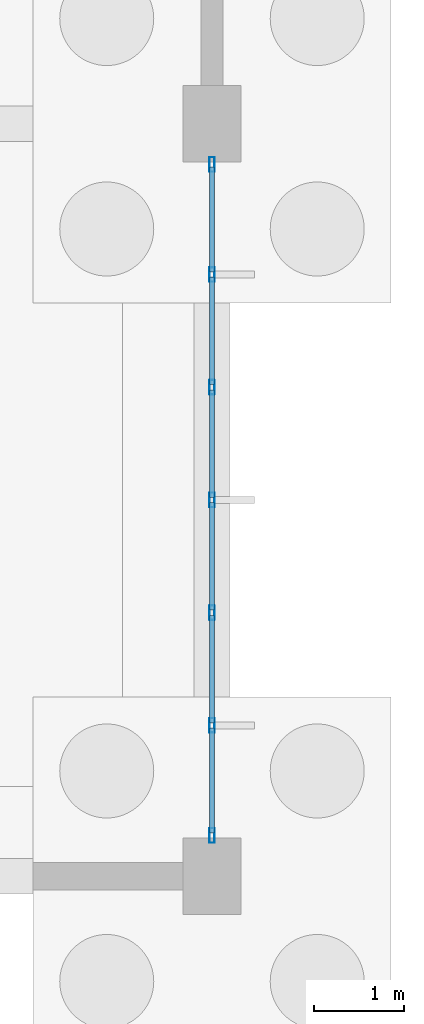
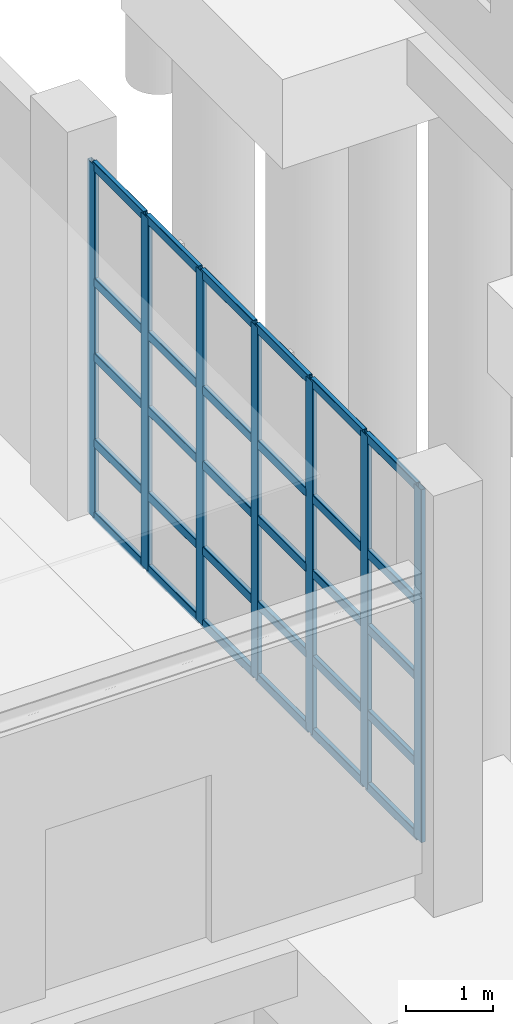
# One storey, part 18 of 83: 37 members, 1 element without a shape of its own.
"""IFC4 building model written with IfcOpenShell, lengths in metres."""

from ifc_helpers import new_model, si_unit, direction, frame, origin, origin_2d, place, context, subcontext, project, spatial, hollow_rectangle, extrude, material, layer, layer_set, material_profile, profile_set, type_object, element, aggregate, save


model = new_model("IFC4")

# Units and contexts
model_context = context("Model", 3, precision=1e-05, world=origin(), true_north=direction((0.0, 1.0)))
body_context = subcontext(model_context, "Body", "Model", "MODEL_VIEW")
ifc_project = project(units=[si_unit("LENGTHUNIT", "METRE"), si_unit("AREAUNIT", "SQUARE_METRE"), si_unit("VOLUMEUNIT", "CUBIC_METRE"), si_unit("PLANEANGLEUNIT", "RADIAN"), si_unit("MASSUNIT", "GRAM", prefix="KILO"), si_unit("THERMODYNAMICTEMPERATUREUNIT", "KELVIN"), si_unit("POWERUNIT", "WATT")], contexts=[model_context])

# Site, building, storey
site_placement = place(None, origin())
site = spatial("IfcSite", under=ifc_project, at=site_placement, CompositionType="ELEMENT")
building_placement = place(site_placement, origin())
building = spatial("IfcBuilding", under=site, at=building_placement, Name="Mavoryth Pier Ferry Terminal", CompositionType="ELEMENT")
storey_placement = place(building_placement, origin())
storey = spatial("IfcBuildingStorey", under=building, at=storey_placement, Name="L00", CompositionType="ELEMENT", Elevation=0.0)

# Curtain wall, members
ifc_material_1 = material(Name="Anodised Aluminium and Solar-Control Low-E Glass", Category="aluminium")
ifc_layer = layer(ifc_material_1, 0.199951171875, Name="Anodised Aluminium and Solar-Control Low-E Glass", Category="aluminium")
ifc_layer_set = layer_set([ifc_layer], Name="Anodised Aluminium and Solar-Control Low-E Glass - CW-Concourse-Mod1200")
curtain_wall_type = type_object("IfcCurtainWallType", Name="CW-Concourse-Mod1200", PredefinedType="USERDEFINED", material=ifc_layer_set)
curtain_wall_placement = place(storey_placement, origin())
curtain_wall = element("IfcCurtainWall", 1, at=curtain_wall_placement, inside=storey, type_object=curtain_wall_type, Name="Curtain Wall CW-0022-002", ObjectType="UNITISED CURTAIN WALL", PredefinedType="USERDEFINED")
ifc_material_2 = material(Name="Anodised Aluminium EN AW-6063", Category="aluminium")
ifc_material_profile_1 = material_profile(ifc_material_2, hollow_rectangle(XDim=0.06005859375, YDim=0.1650390625, WallThickness=0.00390625, InnerFilletRadius=0.00390625, OuterFilletRadius=0.008056640625, at=origin_2d()), Name="AL-MULL 165x60x4", Category="aluminium")
ifc_profile_set_1 = profile_set([ifc_material_profile_1], Name="Anodised Aluminium EN AW-6063 - AL-MULL 165x60x4")
member_type_1 = type_object("IfcMemberType", Name="Mullion-Alum-165x60", PredefinedType="MULLION", material=ifc_profile_set_1)
member_1_placement = place(storey_placement, frame((33.60009765625, 22.455078125, 0.0), z_axis=(0.0, 0.0, 1.0), x_axis=(-1.0, 0.0, 0.0)))
member_1 = element("IfcMember", 2, at=member_1_placement, type_object=member_type_1, Name="CW02 mullion 1", PredefinedType="MULLION", context=body_context, shape_type="SweptSolid", body=[
    extrude(hollow_rectangle(XDim=0.06005859375, YDim=0.1650390625, WallThickness=0.00390625, InnerFilletRadius=0.00390625, OuterFilletRadius=0.008056640625, at=origin_2d()), origin(), (0.0, 0.0, 1.0), 4.93994140625),
])
member_2_placement = place(storey_placement, frame((33.60009765625, 23.683349609375, 0.0), z_axis=(0.0, 0.0, 1.0), x_axis=(-1.0, 0.0, 0.0)))
member_2 = element("IfcMember", 3, at=member_2_placement, type_object=member_type_1, Name="CW02 mullion 2", PredefinedType="MULLION", context=body_context, shape_type="SweptSolid", body=[
    extrude(hollow_rectangle(XDim=0.06005859375, YDim=0.1650390625, WallThickness=0.00390625, InnerFilletRadius=0.00390625, OuterFilletRadius=0.008056640625, at=origin_2d()), origin(), (0.0, 0.0, 1.0), 4.93994140625),
])
member_3_placement = place(storey_placement, frame((33.60009765625, 24.941650390625, 0.0), z_axis=(0.0, 0.0, 1.0), x_axis=(-1.0, 0.0, 0.0)))
member_3 = element("IfcMember", 4, at=member_3_placement, type_object=member_type_1, Name="CW02 mullion 3", PredefinedType="MULLION", context=body_context, shape_type="SweptSolid", body=[
    extrude(hollow_rectangle(XDim=0.06005859375, YDim=0.1650390625, WallThickness=0.00390625, InnerFilletRadius=0.00390625, OuterFilletRadius=0.008056640625, at=origin_2d()), origin(), (0.0, 0.0, 1.0), 4.93994140625),
])
member_4_placement = place(storey_placement, frame((33.60009765625, 26.199951171875, 0.0), z_axis=(0.0, 0.0, 1.0), x_axis=(-1.0, 0.0, 0.0)))
member_4 = element("IfcMember", 5, at=member_4_placement, type_object=member_type_1, Name="CW02 mullion 4", PredefinedType="MULLION", context=body_context, shape_type="SweptSolid", body=[
    extrude(hollow_rectangle(XDim=0.06005859375, YDim=0.1650390625, WallThickness=0.00390625, InnerFilletRadius=0.00390625, OuterFilletRadius=0.008056640625, at=origin_2d()), origin(), (0.0, 0.0, 1.0), 4.93994140625),
])
member_5_placement = place(storey_placement, frame((33.60009765625, 27.458251953125, 0.0), z_axis=(0.0, 0.0, 1.0), x_axis=(-1.0, 0.0, 0.0)))
member_5 = element("IfcMember", 6, at=member_5_placement, type_object=member_type_1, Name="CW02 mullion 5", PredefinedType="MULLION", context=body_context, shape_type="SweptSolid", body=[
    extrude(hollow_rectangle(XDim=0.06005859375, YDim=0.1650390625, WallThickness=0.00390625, InnerFilletRadius=0.00390625, OuterFilletRadius=0.008056640625, at=origin_2d()), origin(), (0.0, 0.0, 1.0), 4.93994140625),
])
member_6_placement = place(storey_placement, frame((33.60009765625, 28.716552734375, 0.0), z_axis=(0.0, 0.0, 1.0), x_axis=(-1.0, 0.0, 0.0)))
member_6 = element("IfcMember", 7, at=member_6_placement, type_object=member_type_1, Name="CW02 mullion 6", PredefinedType="MULLION", context=body_context, shape_type="SweptSolid", body=[
    extrude(hollow_rectangle(XDim=0.06005859375, YDim=0.1650390625, WallThickness=0.00390625, InnerFilletRadius=0.00390625, OuterFilletRadius=0.008056640625, at=origin_2d()), origin(), (0.0, 0.0, 1.0), 4.93994140625),
])
member_7_placement = place(storey_placement, frame((33.60009765625, 29.945068359375, 0.0), z_axis=(0.0, 0.0, 1.0), x_axis=(-1.0, 0.0, 0.0)))
member_7 = element("IfcMember", 8, at=member_7_placement, type_object=member_type_1, Name="CW02 mullion 7", PredefinedType="MULLION", context=body_context, shape_type="SweptSolid", body=[
    extrude(hollow_rectangle(XDim=0.06005859375, YDim=0.1650390625, WallThickness=0.00390625, InnerFilletRadius=0.00390625, OuterFilletRadius=0.008056640625, at=origin_2d()), origin(), (0.0, 0.0, 1.0), 4.93994140625),
])
ifc_material_profile_2 = material_profile(ifc_material_2, hollow_rectangle(XDim=0.06005859375, YDim=0.125, WallThickness=0.00390625, InnerFilletRadius=0.00390625, OuterFilletRadius=0.008056640625, at=origin_2d()), Name="AL-TRAN 125x60x4", Category="aluminium")
ifc_profile_set_2 = profile_set([ifc_material_profile_2], Name="Anodised Aluminium EN AW-6063 - AL-TRAN 125x60x4")
member_type_2 = type_object("IfcMemberType", Name="Transom-Alum-125x60", PredefinedType="USERDEFINED", material=ifc_profile_set_2)
member_8_placement = place(storey_placement, frame((33.60009765625, 22.485107421875, 0.030029296875), z_axis=(0.0, 1.0, 0.0), x_axis=(-1.0, 0.0, 0.0)))
member_8 = element("IfcMember", 9, at=member_8_placement, type_object=member_type_2, Name="CW02 transom 1.1", ObjectType="TRANSOM", PredefinedType="USERDEFINED", context=body_context, shape_type="SweptSolid", body=[
    extrude(hollow_rectangle(XDim=0.06005859375, YDim=0.125, WallThickness=0.00390625, InnerFilletRadius=0.00390625, OuterFilletRadius=0.008056640625, at=origin_2d()), origin(), (0.0, 0.0, 1.0), 1.168212890625),
])
member_9_placement = place(storey_placement, frame((33.60009765625, 22.485107421875, 1.050048828125), z_axis=(0.0, 1.0, 0.0), x_axis=(-1.0, 0.0, 0.0)))
member_9 = element("IfcMember", 10, at=member_9_placement, type_object=member_type_2, Name="CW02 transom 1.2", ObjectType="TRANSOM", PredefinedType="USERDEFINED", context=body_context, shape_type="SweptSolid", body=[
    extrude(hollow_rectangle(XDim=0.06005859375, YDim=0.125, WallThickness=0.00390625, InnerFilletRadius=0.00390625, OuterFilletRadius=0.008056640625, at=origin_2d()), origin(), (0.0, 0.0, 1.0), 1.168212890625),
])
member_10_placement = place(storey_placement, frame((33.60009765625, 22.485107421875, 2.25), z_axis=(0.0, 1.0, 0.0), x_axis=(-1.0, 0.0, 0.0)))
member_10 = element("IfcMember", 11, at=member_10_placement, type_object=member_type_2, Name="CW02 transom 1.3", ObjectType="TRANSOM", PredefinedType="USERDEFINED", context=body_context, shape_type="SweptSolid", body=[
    extrude(hollow_rectangle(XDim=0.06005859375, YDim=0.125, WallThickness=0.00390625, InnerFilletRadius=0.00390625, OuterFilletRadius=0.008056640625, at=origin_2d()), origin(), (0.0, 0.0, 1.0), 1.168212890625),
])
member_11_placement = place(storey_placement, frame((33.60009765625, 22.485107421875, 3.300048828125), z_axis=(0.0, 1.0, 0.0), x_axis=(-1.0, 0.0, 0.0)))
member_11 = element("IfcMember", 12, at=member_11_placement, type_object=member_type_2, Name="CW02 transom 1.4", ObjectType="TRANSOM", PredefinedType="USERDEFINED", context=body_context, shape_type="SweptSolid", body=[
    extrude(hollow_rectangle(XDim=0.06005859375, YDim=0.125, WallThickness=0.00390625, InnerFilletRadius=0.00390625, OuterFilletRadius=0.008056640625, at=origin_2d()), origin(), (0.0, 0.0, 1.0), 1.168212890625),
])
member_12_placement = place(storey_placement, frame((33.60009765625, 22.485107421875, 4.909912109375), z_axis=(0.0, 1.0, 0.0), x_axis=(-1.0, 0.0, 0.0)))
member_12 = element("IfcMember", 13, at=member_12_placement, type_object=member_type_2, Name="CW02 transom 1.5", ObjectType="TRANSOM", PredefinedType="USERDEFINED", context=body_context, shape_type="SweptSolid", body=[
    extrude(hollow_rectangle(XDim=0.06005859375, YDim=0.125, WallThickness=0.00390625, InnerFilletRadius=0.00390625, OuterFilletRadius=0.008056640625, at=origin_2d()), origin(), (0.0, 0.0, 1.0), 1.168212890625),
])
member_13_placement = place(storey_placement, frame((33.60009765625, 23.71337890625, 0.030029296875), z_axis=(0.0, 1.0, 0.0), x_axis=(-1.0, 0.0, 0.0)))
member_13 = element("IfcMember", 14, at=member_13_placement, type_object=member_type_2, Name="CW02 transom 2.1", ObjectType="TRANSOM", PredefinedType="USERDEFINED", context=body_context, shape_type="SweptSolid", body=[
    extrude(hollow_rectangle(XDim=0.06005859375, YDim=0.125, WallThickness=0.00390625, InnerFilletRadius=0.00390625, OuterFilletRadius=0.008056640625, at=origin_2d()), origin(), (0.0, 0.0, 1.0), 1.1982421875),
])
member_14_placement = place(storey_placement, frame((33.60009765625, 23.71337890625, 1.050048828125), z_axis=(0.0, 1.0, 0.0), x_axis=(-1.0, 0.0, 0.0)))
member_14 = element("IfcMember", 15, at=member_14_placement, type_object=member_type_2, Name="CW02 transom 2.2", ObjectType="TRANSOM", PredefinedType="USERDEFINED", context=body_context, shape_type="SweptSolid", body=[
    extrude(hollow_rectangle(XDim=0.06005859375, YDim=0.125, WallThickness=0.00390625, InnerFilletRadius=0.00390625, OuterFilletRadius=0.008056640625, at=origin_2d()), origin(), (0.0, 0.0, 1.0), 1.1982421875),
])
member_15_placement = place(storey_placement, frame((33.60009765625, 23.71337890625, 2.25), z_axis=(0.0, 1.0, 0.0), x_axis=(-1.0, 0.0, 0.0)))
member_15 = element("IfcMember", 16, at=member_15_placement, type_object=member_type_2, Name="CW02 transom 2.3", ObjectType="TRANSOM", PredefinedType="USERDEFINED", context=body_context, shape_type="SweptSolid", body=[
    extrude(hollow_rectangle(XDim=0.06005859375, YDim=0.125, WallThickness=0.00390625, InnerFilletRadius=0.00390625, OuterFilletRadius=0.008056640625, at=origin_2d()), origin(), (0.0, 0.0, 1.0), 1.1982421875),
])
member_16_placement = place(storey_placement, frame((33.60009765625, 23.71337890625, 3.300048828125), z_axis=(0.0, 1.0, 0.0), x_axis=(-1.0, 0.0, 0.0)))
member_16 = element("IfcMember", 17, at=member_16_placement, type_object=member_type_2, Name="CW02 transom 2.4", ObjectType="TRANSOM", PredefinedType="USERDEFINED", context=body_context, shape_type="SweptSolid", body=[
    extrude(hollow_rectangle(XDim=0.06005859375, YDim=0.125, WallThickness=0.00390625, InnerFilletRadius=0.00390625, OuterFilletRadius=0.008056640625, at=origin_2d()), origin(), (0.0, 0.0, 1.0), 1.1982421875),
])
member_17_placement = place(storey_placement, frame((33.60009765625, 23.71337890625, 4.909912109375), z_axis=(0.0, 1.0, 0.0), x_axis=(-1.0, 0.0, 0.0)))
member_17 = element("IfcMember", 18, at=member_17_placement, type_object=member_type_2, Name="CW02 transom 2.5", ObjectType="TRANSOM", PredefinedType="USERDEFINED", context=body_context, shape_type="SweptSolid", body=[
    extrude(hollow_rectangle(XDim=0.06005859375, YDim=0.125, WallThickness=0.00390625, InnerFilletRadius=0.00390625, OuterFilletRadius=0.008056640625, at=origin_2d()), origin(), (0.0, 0.0, 1.0), 1.1982421875),
])
member_18_placement = place(storey_placement, frame((33.60009765625, 24.9716796875, 0.030029296875), z_axis=(0.0, 1.0, 0.0), x_axis=(-1.0, 0.0, 0.0)))
member_18 = element("IfcMember", 19, at=member_18_placement, type_object=member_type_2, Name="CW02 transom 3.1", ObjectType="TRANSOM", PredefinedType="USERDEFINED", context=body_context, shape_type="SweptSolid", body=[
    extrude(hollow_rectangle(XDim=0.06005859375, YDim=0.125, WallThickness=0.00390625, InnerFilletRadius=0.00390625, OuterFilletRadius=0.008056640625, at=origin_2d()), origin(), (0.0, 0.0, 1.0), 1.1982421875),
])
member_19_placement = place(storey_placement, frame((33.60009765625, 24.9716796875, 1.050048828125), z_axis=(0.0, 1.0, 0.0), x_axis=(-1.0, 0.0, 0.0)))
member_19 = element("IfcMember", 20, at=member_19_placement, type_object=member_type_2, Name="CW02 transom 3.2", ObjectType="TRANSOM", PredefinedType="USERDEFINED", context=body_context, shape_type="SweptSolid", body=[
    extrude(hollow_rectangle(XDim=0.06005859375, YDim=0.125, WallThickness=0.00390625, InnerFilletRadius=0.00390625, OuterFilletRadius=0.008056640625, at=origin_2d()), origin(), (0.0, 0.0, 1.0), 1.1982421875),
])
member_20_placement = place(storey_placement, frame((33.60009765625, 24.9716796875, 2.25), z_axis=(0.0, 1.0, 0.0), x_axis=(-1.0, 0.0, 0.0)))
member_20 = element("IfcMember", 21, at=member_20_placement, type_object=member_type_2, Name="CW02 transom 3.3", ObjectType="TRANSOM", PredefinedType="USERDEFINED", context=body_context, shape_type="SweptSolid", body=[
    extrude(hollow_rectangle(XDim=0.06005859375, YDim=0.125, WallThickness=0.00390625, InnerFilletRadius=0.00390625, OuterFilletRadius=0.008056640625, at=origin_2d()), origin(), (0.0, 0.0, 1.0), 1.1982421875),
])
member_21_placement = place(storey_placement, frame((33.60009765625, 24.9716796875, 3.300048828125), z_axis=(0.0, 1.0, 0.0), x_axis=(-1.0, 0.0, 0.0)))
member_21 = element("IfcMember", 22, at=member_21_placement, type_object=member_type_2, Name="CW02 transom 3.4", ObjectType="TRANSOM", PredefinedType="USERDEFINED", context=body_context, shape_type="SweptSolid", body=[
    extrude(hollow_rectangle(XDim=0.06005859375, YDim=0.125, WallThickness=0.00390625, InnerFilletRadius=0.00390625, OuterFilletRadius=0.008056640625, at=origin_2d()), origin(), (0.0, 0.0, 1.0), 1.1982421875),
])
member_22_placement = place(storey_placement, frame((33.60009765625, 24.9716796875, 4.909912109375), z_axis=(0.0, 1.0, 0.0), x_axis=(-1.0, 0.0, 0.0)))
member_22 = element("IfcMember", 23, at=member_22_placement, type_object=member_type_2, Name="CW02 transom 3.5", ObjectType="TRANSOM", PredefinedType="USERDEFINED", context=body_context, shape_type="SweptSolid", body=[
    extrude(hollow_rectangle(XDim=0.06005859375, YDim=0.125, WallThickness=0.00390625, InnerFilletRadius=0.00390625, OuterFilletRadius=0.008056640625, at=origin_2d()), origin(), (0.0, 0.0, 1.0), 1.1982421875),
])
member_23_placement = place(storey_placement, frame((33.60009765625, 26.22998046875, 0.030029296875), z_axis=(0.0, 1.0, 0.0), x_axis=(-1.0, 0.0, 0.0)))
member_23 = element("IfcMember", 24, at=member_23_placement, type_object=member_type_2, Name="CW02 transom 4.1", ObjectType="TRANSOM", PredefinedType="USERDEFINED", context=body_context, shape_type="SweptSolid", body=[
    extrude(hollow_rectangle(XDim=0.06005859375, YDim=0.125, WallThickness=0.00390625, InnerFilletRadius=0.00390625, OuterFilletRadius=0.008056640625, at=origin_2d()), origin(), (0.0, 0.0, 1.0), 1.1982421875),
])
member_24_placement = place(storey_placement, frame((33.60009765625, 26.22998046875, 1.050048828125), z_axis=(0.0, 1.0, 0.0), x_axis=(-1.0, 0.0, 0.0)))
member_24 = element("IfcMember", 25, at=member_24_placement, type_object=member_type_2, Name="CW02 transom 4.2", ObjectType="TRANSOM", PredefinedType="USERDEFINED", context=body_context, shape_type="SweptSolid", body=[
    extrude(hollow_rectangle(XDim=0.06005859375, YDim=0.125, WallThickness=0.00390625, InnerFilletRadius=0.00390625, OuterFilletRadius=0.008056640625, at=origin_2d()), origin(), (0.0, 0.0, 1.0), 1.1982421875),
])
member_25_placement = place(storey_placement, frame((33.60009765625, 26.22998046875, 2.25), z_axis=(0.0, 1.0, 0.0), x_axis=(-1.0, 0.0, 0.0)))
member_25 = element("IfcMember", 26, at=member_25_placement, type_object=member_type_2, Name="CW02 transom 4.3", ObjectType="TRANSOM", PredefinedType="USERDEFINED", context=body_context, shape_type="SweptSolid", body=[
    extrude(hollow_rectangle(XDim=0.06005859375, YDim=0.125, WallThickness=0.00390625, InnerFilletRadius=0.00390625, OuterFilletRadius=0.008056640625, at=origin_2d()), origin(), (0.0, 0.0, 1.0), 1.1982421875),
])
member_26_placement = place(storey_placement, frame((33.60009765625, 26.22998046875, 3.300048828125), z_axis=(0.0, 1.0, 0.0), x_axis=(-1.0, 0.0, 0.0)))
member_26 = element("IfcMember", 27, at=member_26_placement, type_object=member_type_2, Name="CW02 transom 4.4", ObjectType="TRANSOM", PredefinedType="USERDEFINED", context=body_context, shape_type="SweptSolid", body=[
    extrude(hollow_rectangle(XDim=0.06005859375, YDim=0.125, WallThickness=0.00390625, InnerFilletRadius=0.00390625, OuterFilletRadius=0.008056640625, at=origin_2d()), origin(), (0.0, 0.0, 1.0), 1.1982421875),
])
member_27_placement = place(storey_placement, frame((33.60009765625, 26.22998046875, 4.909912109375), z_axis=(0.0, 1.0, 0.0), x_axis=(-1.0, 0.0, 0.0)))
member_27 = element("IfcMember", 28, at=member_27_placement, type_object=member_type_2, Name="CW02 transom 4.5", ObjectType="TRANSOM", PredefinedType="USERDEFINED", context=body_context, shape_type="SweptSolid", body=[
    extrude(hollow_rectangle(XDim=0.06005859375, YDim=0.125, WallThickness=0.00390625, InnerFilletRadius=0.00390625, OuterFilletRadius=0.008056640625, at=origin_2d()), origin(), (0.0, 0.0, 1.0), 1.1982421875),
])
member_28_placement = place(storey_placement, frame((33.60009765625, 27.48828125, 0.030029296875), z_axis=(0.0, 1.0, 0.0), x_axis=(-1.0, 0.0, 0.0)))
member_28 = element("IfcMember", 29, at=member_28_placement, type_object=member_type_2, Name="CW02 transom 5.1", ObjectType="TRANSOM", PredefinedType="USERDEFINED", context=body_context, shape_type="SweptSolid", body=[
    extrude(hollow_rectangle(XDim=0.06005859375, YDim=0.125, WallThickness=0.00390625, InnerFilletRadius=0.00390625, OuterFilletRadius=0.008056640625, at=origin_2d()), origin(), (0.0, 0.0, 1.0), 1.198486328125),
])
member_29_placement = place(storey_placement, frame((33.60009765625, 27.48828125, 1.050048828125), z_axis=(0.0, 1.0, 0.0), x_axis=(-1.0, 0.0, 0.0)))
member_29 = element("IfcMember", 30, at=member_29_placement, type_object=member_type_2, Name="CW02 transom 5.2", ObjectType="TRANSOM", PredefinedType="USERDEFINED", context=body_context, shape_type="SweptSolid", body=[
    extrude(hollow_rectangle(XDim=0.06005859375, YDim=0.125, WallThickness=0.00390625, InnerFilletRadius=0.00390625, OuterFilletRadius=0.008056640625, at=origin_2d()), origin(), (0.0, 0.0, 1.0), 1.198486328125),
])
member_30_placement = place(storey_placement, frame((33.60009765625, 27.48828125, 2.25), z_axis=(0.0, 1.0, 0.0), x_axis=(-1.0, 0.0, 0.0)))
member_30 = element("IfcMember", 31, at=member_30_placement, type_object=member_type_2, Name="CW02 transom 5.3", ObjectType="TRANSOM", PredefinedType="USERDEFINED", context=body_context, shape_type="SweptSolid", body=[
    extrude(hollow_rectangle(XDim=0.06005859375, YDim=0.125, WallThickness=0.00390625, InnerFilletRadius=0.00390625, OuterFilletRadius=0.008056640625, at=origin_2d()), origin(), (0.0, 0.0, 1.0), 1.198486328125),
])
member_31_placement = place(storey_placement, frame((33.60009765625, 27.48828125, 3.300048828125), z_axis=(0.0, 1.0, 0.0), x_axis=(-1.0, 0.0, 0.0)))
member_31 = element("IfcMember", 32, at=member_31_placement, type_object=member_type_2, Name="CW02 transom 5.4", ObjectType="TRANSOM", PredefinedType="USERDEFINED", context=body_context, shape_type="SweptSolid", body=[
    extrude(hollow_rectangle(XDim=0.06005859375, YDim=0.125, WallThickness=0.00390625, InnerFilletRadius=0.00390625, OuterFilletRadius=0.008056640625, at=origin_2d()), origin(), (0.0, 0.0, 1.0), 1.198486328125),
])
member_32_placement = place(storey_placement, frame((33.60009765625, 27.48828125, 4.909912109375), z_axis=(0.0, 1.0, 0.0), x_axis=(-1.0, 0.0, 0.0)))
member_32 = element("IfcMember", 33, at=member_32_placement, type_object=member_type_2, Name="CW02 transom 5.5", ObjectType="TRANSOM", PredefinedType="USERDEFINED", context=body_context, shape_type="SweptSolid", body=[
    extrude(hollow_rectangle(XDim=0.06005859375, YDim=0.125, WallThickness=0.00390625, InnerFilletRadius=0.00390625, OuterFilletRadius=0.008056640625, at=origin_2d()), origin(), (0.0, 0.0, 1.0), 1.198486328125),
])
member_33_placement = place(storey_placement, frame((33.60009765625, 28.74658203125, 0.030029296875), z_axis=(0.0, 1.0, 0.0), x_axis=(-1.0, 0.0, 0.0)))
member_33 = element("IfcMember", 34, at=member_33_placement, type_object=member_type_2, Name="CW02 transom 6.1", ObjectType="TRANSOM", PredefinedType="USERDEFINED", context=body_context, shape_type="SweptSolid", body=[
    extrude(hollow_rectangle(XDim=0.06005859375, YDim=0.125, WallThickness=0.00390625, InnerFilletRadius=0.00390625, OuterFilletRadius=0.008056640625, at=origin_2d()), origin(), (0.0, 0.0, 1.0), 1.16845703125),
])
member_34_placement = place(storey_placement, frame((33.60009765625, 28.74658203125, 1.050048828125), z_axis=(0.0, 1.0, 0.0), x_axis=(-1.0, 0.0, 0.0)))
member_34 = element("IfcMember", 35, at=member_34_placement, type_object=member_type_2, Name="CW02 transom 6.2", ObjectType="TRANSOM", PredefinedType="USERDEFINED", context=body_context, shape_type="SweptSolid", body=[
    extrude(hollow_rectangle(XDim=0.06005859375, YDim=0.125, WallThickness=0.00390625, InnerFilletRadius=0.00390625, OuterFilletRadius=0.008056640625, at=origin_2d()), origin(), (0.0, 0.0, 1.0), 1.16845703125),
])
member_35_placement = place(storey_placement, frame((33.60009765625, 28.74658203125, 2.25), z_axis=(0.0, 1.0, 0.0), x_axis=(-1.0, 0.0, 0.0)))
member_35 = element("IfcMember", 36, at=member_35_placement, type_object=member_type_2, Name="CW02 transom 6.3", ObjectType="TRANSOM", PredefinedType="USERDEFINED", context=body_context, shape_type="SweptSolid", body=[
    extrude(hollow_rectangle(XDim=0.06005859375, YDim=0.125, WallThickness=0.00390625, InnerFilletRadius=0.00390625, OuterFilletRadius=0.008056640625, at=origin_2d()), origin(), (0.0, 0.0, 1.0), 1.16845703125),
])
member_36_placement = place(storey_placement, frame((33.60009765625, 28.74658203125, 3.300048828125), z_axis=(0.0, 1.0, 0.0), x_axis=(-1.0, 0.0, 0.0)))
member_36 = element("IfcMember", 37, at=member_36_placement, type_object=member_type_2, Name="CW02 transom 6.4", ObjectType="TRANSOM", PredefinedType="USERDEFINED", context=body_context, shape_type="SweptSolid", body=[
    extrude(hollow_rectangle(XDim=0.06005859375, YDim=0.125, WallThickness=0.00390625, InnerFilletRadius=0.00390625, OuterFilletRadius=0.008056640625, at=origin_2d()), origin(), (0.0, 0.0, 1.0), 1.16845703125),
])
member_37_placement = place(storey_placement, frame((33.60009765625, 28.74658203125, 4.909912109375), z_axis=(0.0, 1.0, 0.0), x_axis=(-1.0, 0.0, 0.0)))
member_37 = element("IfcMember", 38, at=member_37_placement, type_object=member_type_2, Name="CW02 transom 6.5", ObjectType="TRANSOM", PredefinedType="USERDEFINED", context=body_context, shape_type="SweptSolid", body=[
    extrude(hollow_rectangle(XDim=0.06005859375, YDim=0.125, WallThickness=0.00390625, InnerFilletRadius=0.00390625, OuterFilletRadius=0.008056640625, at=origin_2d()), origin(), (0.0, 0.0, 1.0), 1.16845703125),
])
aggregate(curtain_wall, [member_1, member_2, member_3, member_4, member_5, member_6, member_7, member_8, member_9, member_10, member_11, member_12, member_13, member_14, member_15, member_16, member_17, member_18, member_19, member_20, member_21, member_22, member_23, member_24, member_25, member_26, member_27, member_28, member_29, member_30, member_31, member_32, member_33, member_34, member_35, member_36, member_37])

save(model, "model.ifc")
